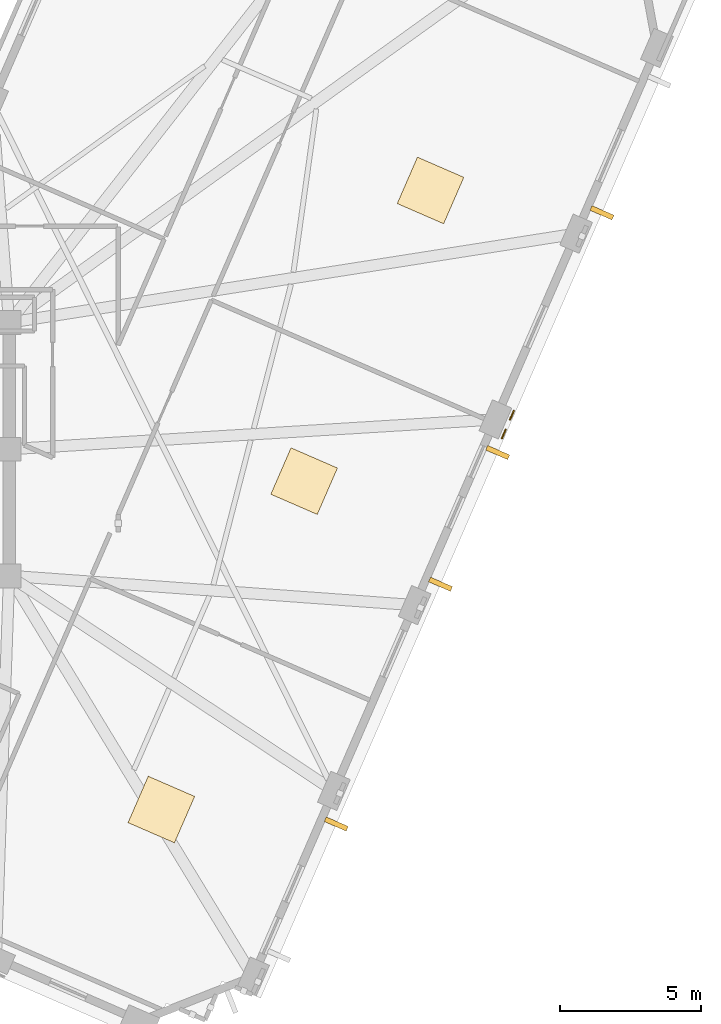
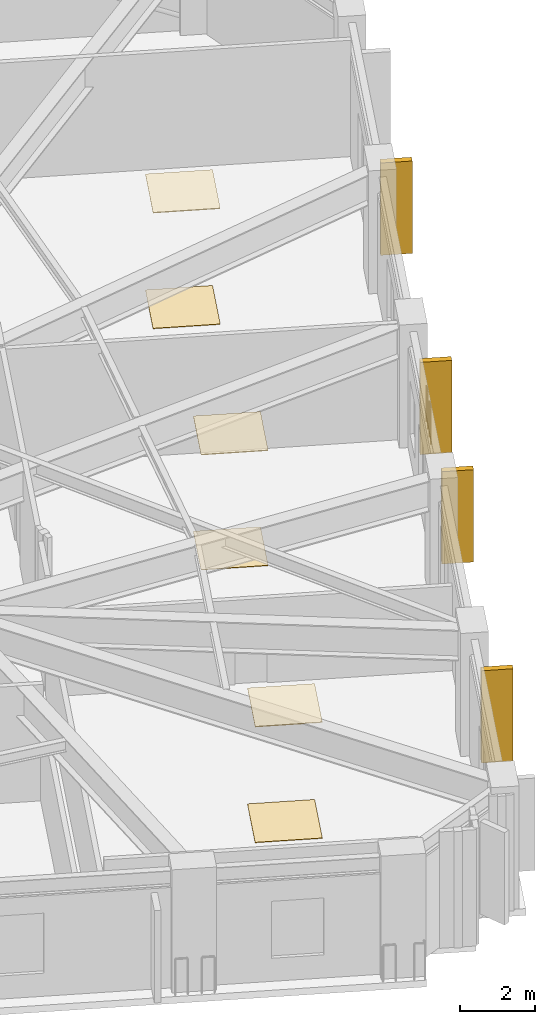
# One storey, part 11 of 12: 6 coverings, 4 shading devices, 2 railings.
"""IFC4 building model written with IfcOpenShell, lengths in metres."""

from ifc_helpers import new_model, si_unit, direction, frame, origin, origin_2d, place, context, subcontext, project, spatial, rectangle, circle, extrude, material, layer, layer_set, type_object, element, save


model = new_model("IFC4")

# Units and contexts
model_context = context("Model", 3, precision=1e-05, world=origin(), true_north=direction((0.0, 1.0)))
body_context = subcontext(model_context, "Body", "Model", "MODEL_VIEW")
ifc_project = project(units=[si_unit("LENGTHUNIT", "METRE"), si_unit("AREAUNIT", "SQUARE_METRE"), si_unit("VOLUMEUNIT", "CUBIC_METRE"), si_unit("PLANEANGLEUNIT", "RADIAN"), si_unit("MASSUNIT", "GRAM", prefix="KILO")], contexts=[model_context])

# Site, building, storey
site_placement = place(None, origin())
site = spatial("IfcSite", under=ifc_project, at=site_placement, CompositionType="ELEMENT")
building_placement = place(site_placement, origin())
building = spatial("IfcBuilding", under=site, at=building_placement, Name="Gaonmaruhae Medical Tower", CompositionType="ELEMENT")
storey_placement = place(building_placement, frame((0.0, 0.0, 316.60009765625)))
storey = spatial("IfcBuildingStorey", under=building, at=storey_placement, Name="L76", CompositionType="ELEMENT", Elevation=316.60009765625)

# Coverings
ifc_material_1 = material(Name="Acoustic mineral ceiling tile", Category="finish")
ifc_layer_1 = layer(ifc_material_1, 0.02490234375)
ifc_layer_set_1 = layer_set([ifc_layer_1], Name="Acoustic mineral ceiling tile")
covering_type_1 = type_object("IfcCoveringType", Name="CLG-01 Antimicrobial Acoustic Mineral Ceiling", PredefinedType="CEILING", material=ifc_layer_set_1)
for number, where, z_axis, x_axis, name in (
    (1, (41.012451171875, -0.510009765625, 3.7548828125), (0.0, 0.0, 1.0), (0.398749068925, 0.917060074385, 0.0), "L76 Clinical Room Acoustic Ceiling 2"),
    (2, (46.0888671875, 11.1650390625, 3.73486328125), (0.0, 0.0, 1.0), (0.398749068925, 0.917060074385, 0.0), "L76 Clinical Room Acoustic Ceiling 3"),
    (3, (50.58251953125, 21.49951171875, 3.7548828125), (0.0, 0.0, 1.0), (0.398749068925, 0.917060074385, 0.0), "L76 Clinical Room Acoustic Ceiling 4"),
):
    element("IfcCovering", number, at=place(storey_placement, frame(where, z_axis=z_axis, x_axis=x_axis)), inside=storey, type_object=covering_type_1, Name=name, PredefinedType="CEILING", context=body_context, shape_type="SweptSolid", body=[
        extrude(rectangle(XDim=1.800048828125, YDim=1.800048828125, at=origin_2d()), origin(), (0.0, 0.0, 1.0), 0.02490234375),
    ])
ifc_material_2 = material(Name="Seamless clinical vinyl flooring", Category="finish")
ifc_layer_2 = layer(ifc_material_2, 0.014892578125)
ifc_layer_set_2 = layer_set([ifc_layer_2], Name="Seamless clinical vinyl flooring")
covering_type_2 = type_object("IfcCoveringType", Name="FLR-01 Seamless Clinical Antistatic Vinyl Flooring", PredefinedType="FLOORING", material=ifc_layer_set_2)
for number, where, z_axis, x_axis, name in (
    (4, (41.012451171875, -0.510009765625, 0.0), (0.0, 0.0, 1.0), (0.398749068925, 0.917060074385, 0.0), "L76 Clinical Room Vinyl Flooring 2"),
    (5, (46.0888671875, 11.1650390625, 0.0), (0.0, 0.0, 1.0), (0.398749068925, 0.917060074385, 0.0), "L76 Clinical Room Vinyl Flooring 3"),
    (6, (50.58251953125, 21.49951171875, 0.0), (0.0, 0.0, 1.0), (0.398749068925, 0.917060074385, 0.0), "L76 Clinical Room Vinyl Flooring 4"),
):
    element("IfcCovering", number, at=place(storey_placement, frame(where, z_axis=z_axis, x_axis=x_axis)), inside=storey, type_object=covering_type_2, Name=name, PredefinedType="FLOORING", context=body_context, shape_type="SweptSolid", body=[
        extrude(rectangle(XDim=1.800048828125, YDim=1.800048828125, at=origin_2d()), origin(), (0.0, 0.0, 1.0), 0.014892578125),
    ])

# Railings
ifc_material_3 = material(Name="Stainless steel 316L and laminated safety glass", Category="steel")
ifc_layer_3 = layer(ifc_material_3, 0.080078125)
ifc_layer_set_3 = layer_set([ifc_layer_3], Name="Stainless steel 316L and laminated safety glass")
railing_type = type_object("IfcRailingType", Name="GD-120 Outdoor Terrace Safety Glass & Steel Balustrade", PredefinedType="BALUSTRADE", material=ifc_layer_set_3)
railing_1_placement = place(storey_placement, frame((53.542236328125, 13.660888671875, 0.0)))
element("IfcRailing", 7, at=railing_1_placement, inside=storey, type_object=railing_type, Name="L76 Perimeter Slab Edge Safety Balustrade 07", PredefinedType="BALUSTRADE", context=body_context, shape_type="SweptSolid", body=[
    extrude(circle(Radius=0.02392578125, at=origin_2d()), frame((0.0, 0.0, 1.17578125), z_axis=(-0.398857500245, -0.917012919483, 0.0), x_axis=(0.917012919483, -0.398857500245, 0.0)), (0.0, 0.0, 1.0), 0.339599609375),
    extrude(circle(Radius=0.02099609375, at=origin_2d()), origin(), (0.0, 0.0, 1.0), 1.15185546875),
    extrude(circle(Radius=0.02099609375, at=origin_2d()), frame((-0.135498046875, -0.3115234375, 0.0)), (0.0, 0.0, 1.0), 1.15185546875),
])
railing_2_placement = place(storey_placement, frame((53.255615234375, 13.00146484375, 0.0)))
element("IfcRailing", 8, at=railing_2_placement, inside=storey, type_object=railing_type, Name="L76 Perimeter Slab Edge Safety Balustrade 08", PredefinedType="BALUSTRADE", context=body_context, shape_type="SweptSolid", body=[
    extrude(circle(Radius=0.02392578125, at=origin_2d()), frame((0.0, 0.0, 1.17578125), z_axis=(-0.398594800943, -0.917127136585, 0.0), x_axis=(0.917127136585, -0.398594800943, 0.0)), (0.0, 0.0, 1.0), 0.33984375),
    extrude(circle(Radius=0.02099609375, at=origin_2d()), origin(), (0.0, 0.0, 1.0), 1.15185546875),
    extrude(circle(Radius=0.02099609375, at=origin_2d()), frame((-0.135498046875, -0.311767578125, 0.0)), (0.0, 0.0, 1.0), 1.15185546875),
])

# Shading devices
ifc_material_4 = material(Name="Pigmented coral precast concrete C45/55", Category="concrete")
shading_device_type = type_object("IfcShadingDeviceType", Name="SD-FIN1 Tower Vertical Coral Precast Shading Fin", PredefinedType="USERDEFINED", material=ifc_material_4)
for number, where, z_axis, x_axis, name in (
    (9, (47.228271484375, -1.023681640625, 0.122314453125), (0.0, 0.0, 1.0), (-0.398749068925, -0.917060074385, 0.0), "L76 Vertical Coral Precast Shading Fin S01"),
    (10, (52.97021484375, 12.18212890625, 0.122314453125), (0.0, 0.0, 1.0), (-0.398749068925, -0.917060074385, 0.0), "L76 Vertical Coral Precast Shading Fin S03"),
    (11, (50.9345703125, 7.50048828125, 0.122314453125), (0.0, 0.0, 1.0), (-0.398749068925, -0.917060074385, 0.0), "L76 Vertical Coral Precast Shading Fin S03B"),
    (12, (56.676513671875, 20.706298828125, 0.13232421875), (0.0, 0.0, 1.0), (-0.398749068925, -0.917060074385, 0.0), "L76 Vertical Coral Precast Shading Fin S05B"),
):
    element("IfcShadingDevice", number, at=place(storey_placement, frame(where, z_axis=z_axis, x_axis=x_axis)), inside=storey, type_object=shading_device_type, Name=name, ObjectType="FIN", PredefinedType="USERDEFINED", context=body_context, shape_type="SweptSolid", body=[
        extrude(rectangle(XDim=0.179931640625, YDim=0.85009765625, at=origin_2d()), origin(), (0.0, 0.0, 1.0), 3.0),
    ])

save(model, "model.ifc")
